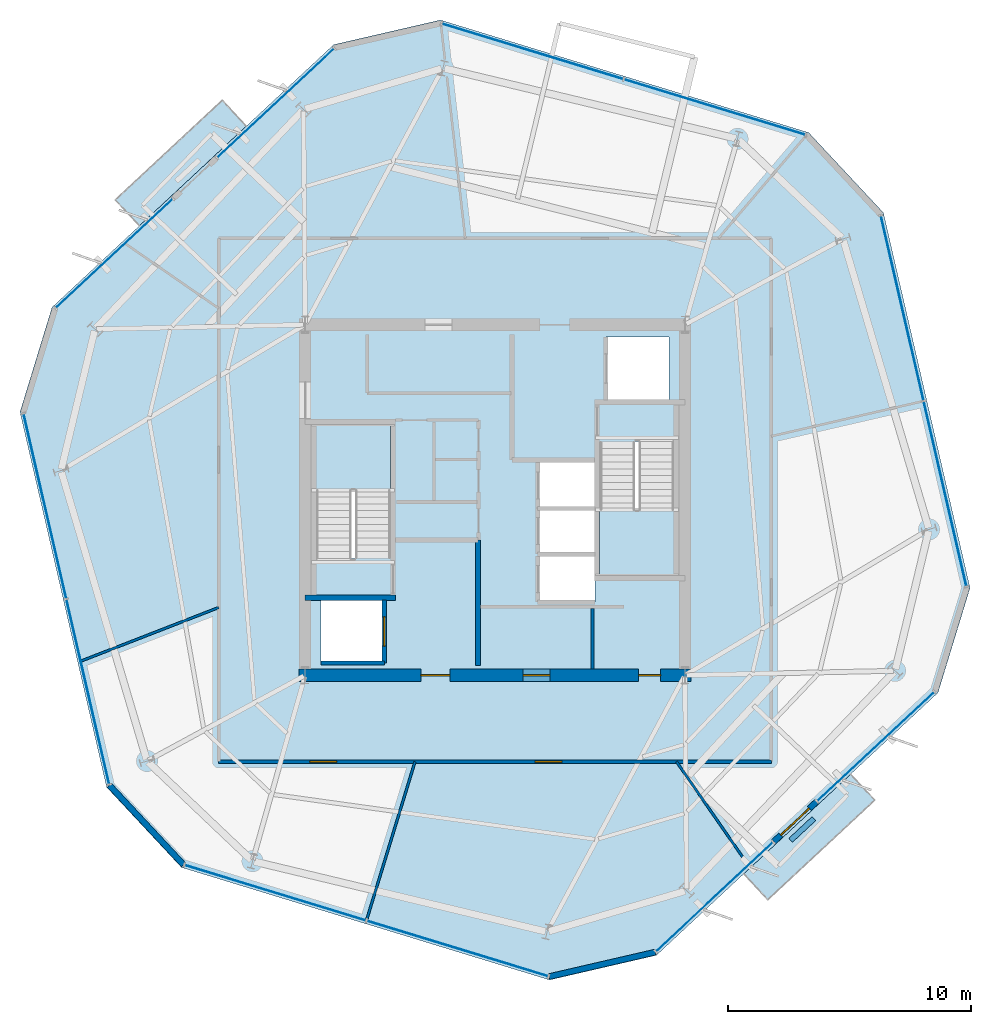
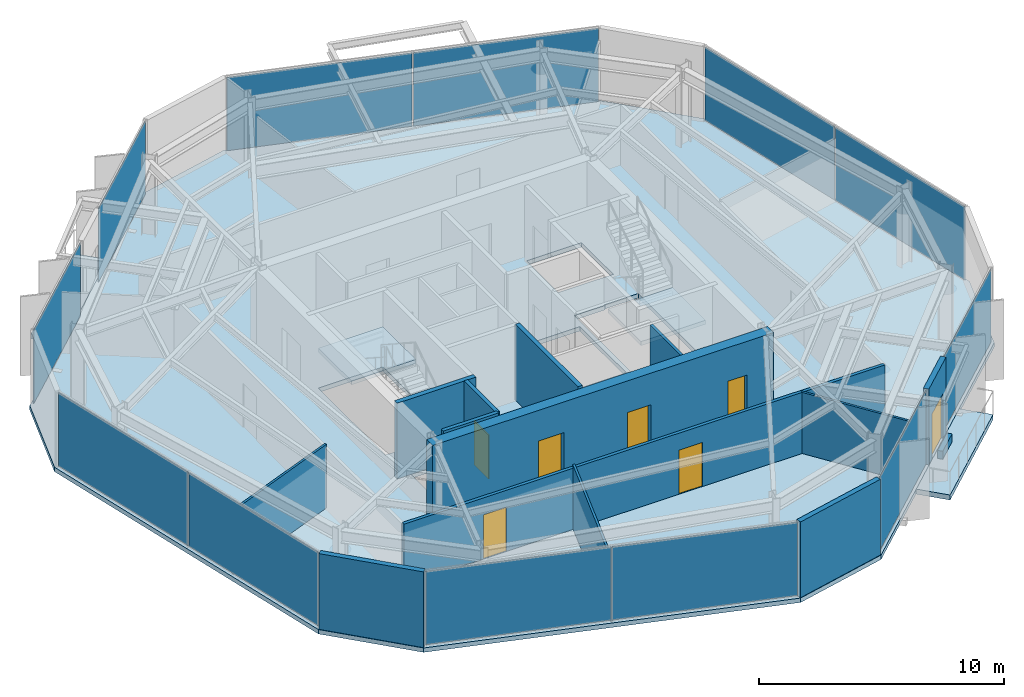
# One storey, part 6 of 11: 14 walls, 12 plates, 7 doors, 5 slabs, 7 openings, 10 elements without a shape of their own.
"""IFC4 building model written with IfcOpenShell, lengths in metres."""

from ifc_helpers import new_model, si_unit, direction, frame, frame_2d, origin, origin_2d, place, context, subcontext, project, spatial, polyline, rectangle, outline, extrude, material, layer, layer_set, type_object, element, fill, aggregate, save


model = new_model("IFC4")

# Units and contexts
model_context = context("Model", 3, precision=1e-05, world=origin(), true_north=direction((0.0, 1.0)))
body_context = subcontext(model_context, "Body", "Model", "MODEL_VIEW")
ifc_project = project(units=[si_unit("LENGTHUNIT", "METRE"), si_unit("AREAUNIT", "SQUARE_METRE"), si_unit("VOLUMEUNIT", "CUBIC_METRE"), si_unit("PLANEANGLEUNIT", "RADIAN"), si_unit("MASSUNIT", "GRAM", prefix="KILO")], contexts=[model_context])

# Site, building, storey
site_placement = place(None, origin())
site = spatial("IfcSite", under=ifc_project, at=site_placement, CompositionType="ELEMENT")
building_placement = place(site_placement, origin())
building = spatial("IfcBuilding", under=site, at=building_placement, Name="Kranzbogen Civic Tower", CompositionType="ELEMENT")
storey_placement = place(building_placement, frame((0.0, 0.0, 196.800048828125)))
storey = spatial("IfcBuildingStorey", under=building, at=storey_placement, Name="L47", CompositionType="ELEMENT", Elevation=196.800048828125)

# Slab
ifc_material_1 = material(Name="Concrete C40/50", Category="concrete")
ifc_layer_1 = layer(ifc_material_1, 0.219970703125, Name="Concrete C40/50")
ifc_layer_set_1 = layer_set([ifc_layer_1], Name="Concrete C40/50")
slab_type_1 = type_object("IfcSlabType", Name="Composite Upper Tower Floor Slab 220 mm", PredefinedType="FLOOR", material=ifc_layer_set_1)
slab_1_placement = place(storey_placement, frame((0.0, 0.0, -0.219970703125)))
element("IfcSlab", 1, at=slab_1_placement, inside=storey, type_object=slab_type_1, Name="L47 tower floor slab", PredefinedType="FLOOR", context=body_context, shape_type="SweptSolid", body=[
    extrude(outline(polyline([(37.885009765625, 40.092041015625), (22.757080078125, 44.717041015625), (18.3720703125, 43.705078125), (6.802978515625, 32.916015625), (5.487060546875, 28.613037109375), (9.0458984375, 13.198974609375), (12.114990234375, 9.907958984375), (27.242919921875, 5.282958984375), (31.6279296875, 6.294921875), (43.197021484375, 17.083984375), (44.512939453125, 21.386962890625), (40.9541015625, 36.801025390625), (37.885009765625, 40.092041015625)]), holes=[polyline([(17.85009765625, 20.89990234375), (20.449951171875, 20.89990234375), (20.449951171875, 18.300048828125), (17.85009765625, 18.300048828125), (17.85009765625, 20.89990234375)]), polyline([(29.10009765625, 22.699951171875), (29.10009765625, 20.800048828125), (26.75, 20.800048828125), (26.75, 22.699951171875), (29.10009765625, 22.699951171875)]), polyline([(29.10009765625, 24.64990234375), (29.10009765625, 22.77490234375), (26.75, 22.77490234375), (26.75, 24.64990234375), (26.75, 24.675048828125), (26.75, 26.550048828125), (29.10009765625, 26.550048828125), (29.10009765625, 24.675048828125), (29.10009765625, 24.64990234375)]), polyline([(29.300048828125, 27.340087890625), (30.75, 27.340087890625), (30.75, 27.39990234375), (32.35009765625, 27.39990234375), (32.35009765625, 21.89990234375), (29.300048828125, 21.89990234375), (29.300048828125, 27.340087890625)]), polyline([(20.699951171875, 22.659912109375), (19.25, 22.659912109375), (19.25, 22.60009765625), (17.64990234375, 22.60009765625), (17.64990234375, 28.10009765625), (20.699951171875, 28.10009765625), (20.699951171875, 22.659912109375)]), polyline([(32.14990234375, 31.699951171875), (32.14990234375, 29.10009765625), (29.550048828125, 29.10009765625), (29.550048828125, 31.699951171875), (32.14990234375, 31.699951171875)])]), origin(), (0.0, 0.0, 1.0), 0.219970703125),
])

# Curtain wall, plates
ifc_material_2 = material(Name="Pale Anodised Aluminium", Category="aluminium")
ifc_layer_2 = layer(ifc_material_2, 0.219970703125, Name="Pale Anodised Aluminium")
ifc_layer_set_2 = layer_set([ifc_layer_2], Name="Pale Anodised Aluminium")
curtain_wall_type = type_object("IfcCurtainWallType", Name="Zone 3 Stick Curtain Wall System CW-04", PredefinedType="USERDEFINED", material=ifc_layer_set_2)
curtain_wall_1_placement = place(storey_placement, origin())
curtain_wall_1 = element("IfcCurtainWall", 2, at=curtain_wall_1_placement, inside=storey, type_object=curtain_wall_type, Name="L47 curtain wall CW-L47-F1", ObjectType="STICK CURTAIN WALL", PredefinedType="USERDEFINED")
ifc_material_3 = material(Name="Low-E Triple Glazing Glass", Category="glass")
ifc_layer_3 = layer(ifc_material_3, 0.030029296875, Name="Low-E Triple Glazing Glass")
ifc_layer_set_3 = layer_set([ifc_layer_3], Name="Low-E Triple Glazing Glass")
plate_type = type_object("IfcPlateType", Name="Insulated Low-E Glazing Panel 30 mm", PredefinedType="CURTAIN_PANEL", material=ifc_layer_set_3)
plate_1_placement = place(storey_placement, frame((34.0244140625, 41.138427734375, 0.06005859375), z_axis=(0.0, 0.0, 1.0), x_axis=(-0.956311529973, 0.292349547017, 0.0)))
plate_1 = element("IfcPlate", 3, at=plate_1_placement, type_object=plate_type, Name="CW-04 panel 1.1", PredefinedType="CURTAIN_PANEL", context=body_context, shape_type="SweptSolid", body=[
    extrude(rectangle(XDim=7.763671875, YDim=0.028076171875, at=origin_2d()), origin(), (0.0, 0.0, 1.0), 3.659912109375),
])
plate_2_placement = place(storey_placement, frame((26.54248046875, 43.425537109375, 0.06005859375), z_axis=(0.0, 0.0, 1.0), x_axis=(-0.956311529973, 0.292349547017, 0.0)))
plate_2 = element("IfcPlate", 4, at=plate_2_placement, type_object=plate_type, Name="CW-04 panel 2.1", PredefinedType="CURTAIN_PANEL", context=body_context, shape_type="SweptSolid", body=[
    extrude(rectangle(XDim=7.763671875, YDim=0.028076171875, at=origin_2d()), origin(), (0.0, 0.0, 1.0), 3.659912109375),
])
aggregate(curtain_wall_1, [plate_1, plate_2])

# Curtain wall, plate
curtain_wall_2_placement = place(storey_placement, origin())
curtain_wall_2 = element("IfcCurtainWall", 5, at=curtain_wall_2_placement, inside=storey, type_object=curtain_wall_type, Name="L47 curtain wall CW-L47-F2-S1", ObjectType="STICK CURTAIN WALL", PredefinedType="USERDEFINED")
plate_3_placement = place(storey_placement, frame((15.986083984375, 41.303955078125, 0.06005859375), z_axis=(0.0, 0.0, 1.0), x_axis=(-0.731325095632, -0.682029034939, 0.0)))
plate_3 = element("IfcPlate", 6, at=plate_3_placement, type_object=plate_type, Name="CW-04 panel 1.1", PredefinedType="CURTAIN_PANEL", context=body_context, shape_type="SweptSolid", body=[
    extrude(rectangle(XDim=6.53369140625, YDim=0.028076171875, at=origin_2d()), origin(), (0.0, 0.0, 1.0), 3.659912109375),
])
aggregate(curtain_wall_2, [plate_3])

curtain_wall_3_placement = place(storey_placement, origin())
curtain_wall_3 = element("IfcCurtainWall", 7, at=curtain_wall_3_placement, inside=storey, type_object=curtain_wall_type, Name="L47 curtain wall CW-L47-F2-S2", ObjectType="STICK CURTAIN WALL", PredefinedType="USERDEFINED")
plate_4_placement = place(storey_placement, frame((9.364501953125, 35.12939453125, 0.06005859375), z_axis=(0.0, 0.0, 1.0), x_axis=(-0.731320043642, -0.682034452039, 0.0)))
plate_4 = element("IfcPlate", 8, at=plate_4_placement, type_object=plate_type, Name="CW-04 panel 1.1", PredefinedType="CURTAIN_PANEL", context=body_context, shape_type="SweptSolid", body=[
    extrude(rectangle(XDim=6.53515625, YDim=0.028076171875, at=origin_2d()), origin(), (0.0, 0.0, 1.0), 3.659912109375),
])
aggregate(curtain_wall_3, [plate_4])

# Curtain wall, plates
curtain_wall_4_placement = place(storey_placement, origin())
curtain_wall_4 = element("IfcCurtainWall", 9, at=curtain_wall_4_placement, inside=storey, type_object=curtain_wall_type, Name="L47 curtain wall CW-L47-F3", ObjectType="STICK CURTAIN WALL", PredefinedType="USERDEFINED")
plate_5_placement = place(storey_placement, frame((6.511962890625, 24.746826171875, 0.06005859375), z_axis=(0.0, 0.0, 1.0), x_axis=(0.224971087375, -0.974365439579, 0.0)))
plate_5 = element("IfcPlate", 10, at=plate_5_placement, type_object=plate_type, Name="CW-04 panel 1.1", PredefinedType="CURTAIN_PANEL", context=body_context, shape_type="SweptSolid", body=[
    extrude(rectangle(XDim=7.764404296875, YDim=0.028076171875, at=origin_2d()), origin(), (0.0, 0.0, 1.0), 3.659912109375),
])
plate_6_placement = place(storey_placement, frame((8.272216796875, 17.123046875, 0.06005859375), z_axis=(0.0, 0.0, 1.0), x_axis=(0.224971087375, -0.974365439579, 0.0)))
plate_6 = element("IfcPlate", 11, at=plate_6_placement, type_object=plate_type, Name="CW-04 panel 2.1", PredefinedType="CURTAIN_PANEL", context=body_context, shape_type="SweptSolid", body=[
    extrude(rectangle(XDim=7.764404296875, YDim=0.028076171875, at=origin_2d()), origin(), (0.0, 0.0, 1.0), 3.659912109375),
])
aggregate(curtain_wall_4, [plate_5, plate_6])

curtain_wall_5_placement = place(storey_placement, origin())
curtain_wall_5 = element("IfcCurtainWall", 12, at=curtain_wall_5_placement, inside=storey, type_object=curtain_wall_type, Name="L47 curtain wall CW-L47-F4", ObjectType="STICK CURTAIN WALL", PredefinedType="USERDEFINED")
plate_7_placement = place(storey_placement, frame((15.9755859375, 8.861572265625, 0.06005859375), z_axis=(0.0, 0.0, 1.0), x_axis=(0.956311529973, -0.292349547017, 0.0)))
plate_7 = element("IfcPlate", 13, at=plate_7_placement, type_object=plate_type, Name="CW-04 panel 1.1", PredefinedType="CURTAIN_PANEL", context=body_context, shape_type="SweptSolid", body=[
    extrude(rectangle(XDim=7.763671875, YDim=0.028076171875, at=origin_2d()), origin(), (0.0, 0.0, 1.0), 3.659912109375),
])
plate_8_placement = place(storey_placement, frame((23.45751953125, 6.574462890625, 0.06005859375), z_axis=(0.0, 0.0, 1.0), x_axis=(0.956311529973, -0.292349547017, 0.0)))
plate_8 = element("IfcPlate", 14, at=plate_8_placement, type_object=plate_type, Name="CW-04 panel 2.1", PredefinedType="CURTAIN_PANEL", context=body_context, shape_type="SweptSolid", body=[
    extrude(rectangle(XDim=7.763671875, YDim=0.028076171875, at=origin_2d()), origin(), (0.0, 0.0, 1.0), 3.659912109375),
])
aggregate(curtain_wall_5, [plate_7, plate_8])

# Curtain wall, plate
curtain_wall_6_placement = place(storey_placement, origin())
curtain_wall_6 = element("IfcCurtainWall", 15, at=curtain_wall_6_placement, inside=storey, type_object=curtain_wall_type, Name="L47 curtain wall CW-L47-F5-S1", ObjectType="STICK CURTAIN WALL", PredefinedType="USERDEFINED")
plate_9_placement = place(storey_placement, frame((34.013916015625, 8.696044921875, 0.06005859375), z_axis=(0.0, 0.0, 1.0), x_axis=(0.731325095632, 0.682029034939, 0.0)))
plate_9 = element("IfcPlate", 16, at=plate_9_placement, type_object=plate_type, Name="CW-04 panel 1.1", PredefinedType="CURTAIN_PANEL", context=body_context, shape_type="SweptSolid", body=[
    extrude(rectangle(XDim=6.53369140625, YDim=0.028076171875, at=origin_2d()), origin(), (0.0, 0.0, 1.0), 3.659912109375),
])
aggregate(curtain_wall_6, [plate_9])

curtain_wall_7_placement = place(storey_placement, origin())
curtain_wall_7 = element("IfcCurtainWall", 17, at=curtain_wall_7_placement, inside=storey, type_object=curtain_wall_type, Name="L47 curtain wall CW-L47-F5-S2", ObjectType="STICK CURTAIN WALL", PredefinedType="USERDEFINED")
plate_10_placement = place(storey_placement, frame((40.635498046875, 14.87060546875, 0.06005859375), z_axis=(0.0, 0.0, 1.0), x_axis=(0.731320043642, 0.682034452039, 0.0)))
plate_10 = element("IfcPlate", 18, at=plate_10_placement, type_object=plate_type, Name="CW-04 panel 1.1", PredefinedType="CURTAIN_PANEL", context=body_context, shape_type="SweptSolid", body=[
    extrude(rectangle(XDim=6.53515625, YDim=0.028076171875, at=origin_2d()), origin(), (0.0, 0.0, 1.0), 3.659912109375),
])
aggregate(curtain_wall_7, [plate_10])

# Curtain wall, plates
curtain_wall_8_placement = place(storey_placement, origin())
curtain_wall_8 = element("IfcCurtainWall", 19, at=curtain_wall_8_placement, inside=storey, type_object=curtain_wall_type, Name="L47 curtain wall CW-L47-F6", ObjectType="STICK CURTAIN WALL", PredefinedType="USERDEFINED")
plate_11_placement = place(storey_placement, frame((43.488037109375, 25.253173828125, 0.06005859375), z_axis=(0.0, 0.0, 1.0), x_axis=(-0.224971087375, 0.974365439579, 0.0)))
plate_11 = element("IfcPlate", 20, at=plate_11_placement, type_object=plate_type, Name="CW-04 panel 1.1", PredefinedType="CURTAIN_PANEL", context=body_context, shape_type="SweptSolid", body=[
    extrude(rectangle(XDim=7.764404296875, YDim=0.028076171875, at=origin_2d()), origin(), (0.0, 0.0, 1.0), 3.659912109375),
])
plate_12_placement = place(storey_placement, frame((41.727783203125, 32.876953125, 0.06005859375), z_axis=(0.0, 0.0, 1.0), x_axis=(-0.224971087375, 0.974365439579, 0.0)))
plate_12 = element("IfcPlate", 21, at=plate_12_placement, type_object=plate_type, Name="CW-04 panel 2.1", PredefinedType="CURTAIN_PANEL", context=body_context, shape_type="SweptSolid", body=[
    extrude(rectangle(XDim=7.764404296875, YDim=0.028076171875, at=origin_2d()), origin(), (0.0, 0.0, 1.0), 3.659912109375),
])
aggregate(curtain_wall_8, [plate_11, plate_12])

# Stair, slab
ifc_material_4 = material(Name="Precast concrete C40/50", Category="concrete")
stair_type_1 = type_object("IfcStairType", Name="Tower Core Pressurized Dogleg Stair 1450", PredefinedType="HALF_TURN_STAIR", material=ifc_material_4)
stair_1_placement = place(storey_placement, origin())
stair_1 = element("IfcStair", 22, at=stair_1_placement, inside=storey, type_object=stair_type_1, Name="L47 Tower Core Pressurized Stair 1", PredefinedType="HALF_TURN_STAIR")
ifc_layer_4 = layer(ifc_material_4, 0.199951171875, Name="Precast concrete C40/50")
ifc_layer_set_4 = layer_set([ifc_layer_4], Name="Precast concrete C40/50")
slab_type_2 = type_object("IfcSlabType", Name="Precast Concrete Stair Landing Slab 200 mm", PredefinedType="LANDING", material=ifc_layer_set_4)
slab_2_placement = place(storey_placement, frame((0.0, 0.0, 1.800048828125)))
slab_2 = element("IfcSlab", 23, at=slab_2_placement, type_object=slab_type_2, Name="ST-T1 landing 1", PredefinedType="LANDING", context=body_context, shape_type="SweptSolid", body=[
    extrude(outline(polyline([(20.699951171875, 25.39990234375), (20.699951171875, 28.10009765625), (17.64990234375, 28.10009765625), (17.64990234375, 25.39990234375), (20.699951171875, 25.39990234375)])), origin(), (0.0, 0.0, 1.0), 0.199951171875),
])
aggregate(stair_1, [slab_2])

stair_type_2 = type_object("IfcStairType", Name="Tower Core Secondary Dogleg Stair 1450", PredefinedType="HALF_TURN_STAIR", material=ifc_material_4)
stair_2_placement = place(storey_placement, origin())
stair_2 = element("IfcStair", 24, at=stair_2_placement, inside=storey, type_object=stair_type_2, Name="L47 Tower Core Pressurized Stair 2", PredefinedType="HALF_TURN_STAIR")
slab_3_placement = place(storey_placement, frame((0.0, 0.0, 1.800048828125)))
slab_3 = element("IfcSlab", 25, at=slab_3_placement, type_object=slab_type_2, Name="ST-T2 landing 1", PredefinedType="LANDING", context=body_context, shape_type="SweptSolid", body=[
    extrude(outline(polyline([(29.300048828125, 24.60009765625), (29.300048828125, 21.89990234375), (32.35009765625, 21.89990234375), (32.35009765625, 24.60009765625), (29.300048828125, 24.60009765625)])), origin(), (0.0, 0.0, 1.0), 0.199951171875),
])
aggregate(stair_2, [slab_3])

# Slabs
ifc_layer_5 = layer(ifc_material_1, 0.25, Name="Concrete C40/50")
ifc_layer_set_5 = layer_set([ifc_layer_5], Name="Concrete C40/50")
slab_type_3 = type_object("IfcSlabType", Name="Tree Balcony Cantilevered Slab 250 mm", PredefinedType="FLOOR", material=ifc_layer_set_5)
slab_4_placement = place(storey_placement, frame((0.0, 0.0, -0.25)))
element("IfcSlab", 26, at=slab_4_placement, inside=storey, type_object=slab_type_3, Name="L47 cantilevered tree balcony L47-TB1", PredefinedType="FLOOR", context=body_context, shape_type="SweptSolid", body=[
    extrude(outline(polyline([(14.781982421875, 40.35693359375), (10.39404296875, 36.264892578125), (9.405029296875, 37.324951171875), (13.79296875, 41.4169921875), (14.781982421875, 40.35693359375)])), origin(), (0.0, 0.0, 1.0), 0.25),
])
slab_5_placement = place(storey_placement, frame((0.0, 0.0, -0.25)))
element("IfcSlab", 27, at=slab_5_placement, inside=storey, type_object=slab_type_3, Name="L47 cantilevered tree balcony L47-TB2", PredefinedType="FLOOR", context=body_context, shape_type="SweptSolid", body=[
    extrude(outline(polyline([(35.218017578125, 9.64306640625), (39.60595703125, 13.735107421875), (40.594970703125, 12.675048828125), (36.20703125, 8.5830078125), (35.218017578125, 9.64306640625)])), origin(), (0.0, 0.0, 1.0), 0.25),
])

# Wall, openings, doors
ifc_material_5 = material(Name="Double-Stud Acoustic Gypsum Partition")
ifc_layer_6 = layer(ifc_material_5, 0.14990234375, Name="Double-Stud Acoustic Gypsum Partition")
ifc_layer_set_6 = layer_set([ifc_layer_6], Name="Double-Stud Acoustic Gypsum Partition")
wall_type_1 = type_object("IfcWallType", Name="Acoustic Corridor and Clinical Partition 150 mm", PredefinedType="PARTITIONING", material=ifc_layer_set_6)
wall_1_placement = place(storey_placement, frame((36.35009765625, 14.25, 0.0), z_axis=(0.0, 0.0, 1.0), x_axis=(-1.0, 0.0, 0.0)))
wall_1 = element("IfcWall", 28, at=wall_1_placement, inside=storey, type_object=wall_type_1, Name="L47 corridor partition 03", PredefinedType="PARTITIONING", context=body_context, shape_type="SweptSolid", body=[
    extrude(rectangle(XDim=22.7001953125, YDim=0.14990234375, at=frame_2d((11.35009765625, 0.0))), origin(), (0.0, 0.0, 1.0), 3.050048828125),
])
opening_1_placement = place(wall_1_placement, frame((17.85693359375, 0.0, 0.0)))
opening_1 = element("IfcOpeningElement", 29, at=opening_1_placement, cuts=wall_1, Name="Opening D-COR60", PredefinedType="OPENING", context=body_context, shape_type="SweptSolid", body=[
    extrude(rectangle(XDim=1.10009765625, YDim=2.199951171875, at=frame_2d((0.550048828125, 1.10009765625))), frame((0.0, 0.0849609375, 0.0), z_axis=(0.0, -1.0, 0.0), x_axis=(1.0, 0.0, 0.0)), (0.0, 0.0, 1.0), 0.169921875),
])
opening_2_placement = place(wall_1_placement, frame((8.60791015625, 0.0, 0.0)))
opening_2 = element("IfcOpeningElement", 30, at=opening_2_placement, cuts=wall_1, Name="Opening D-COR60", PredefinedType="OPENING", context=body_context, shape_type="SweptSolid", body=[
    extrude(rectangle(XDim=1.10009765625, YDim=2.199951171875, at=frame_2d((0.550048828125, 1.10009765625))), frame((0.0, 0.0849609375, 0.0), z_axis=(0.0, -1.0, 0.0), x_axis=(1.0, 0.0, 0.0)), (0.0, 0.0, 1.0), 0.169921875),
])
ifc_material_6 = material(Name="Oak Timber and Fire Core", Category="wood")
door_type_1 = type_object("IfcDoorType", Name="Corridor Acoustic Fire Door 1100x2200", OperationType="NOTDEFINED", PredefinedType="DOOR", material=ifc_material_6)
door_1_placement = place(opening_1_placement, origin())
door_1 = element("IfcDoor", 31, at=door_1_placement, inside=storey, type_object=door_type_1, Name="L47 Urban Design Workshop door", OperationType="SINGLE_SWING_RIGHT", OverallHeight=2.199951171875, OverallWidth=1.10009765625, PredefinedType="DOOR", context=body_context, shape_type="SweptSolid", body=[
    extrude(rectangle(XDim=1.10009765625, YDim=2.199951171875, at=frame_2d((0.550048828125, 1.10009765625))), frame((0.0, 0.02490234375, 0.0), z_axis=(0.0, -1.0, 0.0), x_axis=(1.0, 0.0, 0.0)), (0.0, 0.0, 1.0), 0.050048828125),
])
fill(opening_1, door_1)
door_2_placement = place(opening_2_placement, origin())
door_2 = element("IfcDoor", 32, at=door_2_placement, inside=storey, type_object=door_type_1, Name="L47 Cultural Screening Clubroom door", OperationType="SINGLE_SWING_LEFT", OverallHeight=2.199951171875, OverallWidth=1.10009765625, PredefinedType="DOOR", context=body_context, shape_type="SweptSolid", body=[
    extrude(rectangle(XDim=1.10009765625, YDim=2.199951171875, at=frame_2d((0.550048828125, 1.10009765625))), frame((0.0, 0.02490234375, 0.0), z_axis=(0.0, -1.0, 0.0), x_axis=(1.0, 0.0, 0.0)), (0.0, 0.0, 1.0), 0.050048828125),
])
fill(opening_2, door_2)

# Walls
ifc_material_7 = material(Name="Insulated Metal-Stud Gypsum Partition")
ifc_layer_7 = layer(ifc_material_7, 0.125, Name="Insulated Metal-Stud Gypsum Partition")
ifc_layer_set_7 = layer_set([ifc_layer_7], Name="Insulated Metal-Stud Gypsum Partition")
wall_type_2 = type_object("IfcWallType", Name="Acoustic Inter-Room Partition 125 mm", PredefinedType="PARTITIONING", material=ifc_layer_set_7)
wall_2_placement = place(storey_placement, frame((29.010009765625, 18.050048828125, 0.0), z_axis=(0.0, 0.0, 1.0), x_axis=(0.0, 1.0, 0.0)))
element("IfcWall", 33, at=wall_2_placement, inside=storey, type_object=wall_type_2, Name="L47 core auxiliary partition 1", PredefinedType="PARTITIONING", context=body_context, shape_type="SweptSolid", body=[
    extrude(rectangle(XDim=2.5, YDim=0.125, at=frame_2d((1.25, 0.0))), origin(), (0.0, 0.0, 1.0), 3.780029296875),
])
ifc_material_8 = material(Name="Architectural Precast Terracotta Concrete C40/50", Category="masonry")
ifc_layer_8 = layer(ifc_material_8, 0.219970703125, Name="Architectural Precast Terracotta Concrete C40/50")
ifc_layer_set_8 = layer_set([ifc_layer_8], Name="Architectural Precast Terracotta Concrete C40/50")
wall_type_3 = type_object("IfcWallType", Name="Architectural Tree Planter Kerb Wall 220 mm", PredefinedType="USERDEFINED", material=ifc_layer_set_8)
wall_3_placement = place(storey_placement, frame((37.14501953125, 11.02294921875, 0.0), z_axis=(0.0, 0.0, 1.0), x_axis=(0.731298971401, 0.682057046315, 0.0)))
element("IfcWall", 34, at=wall_3_placement, inside=storey, type_object=wall_type_3, Name="L47 landscaped tree balcony planter L47-TB2", ObjectType="PLANTER_WALL", PredefinedType="USERDEFINED", context=body_context, shape_type="SweptSolid", body=[
    extrude(rectangle(XDim=1.299072265625, YDim=0.219970703125, at=frame_2d((0.6494140625, 0.0))), origin(), (0.0, 0.0, 1.0), 0.39990234375),
])

# Wall, openings, doors
ifc_material_9 = material(Name="Concrete C45/55", Category="concrete")
ifc_layer_9 = layer(ifc_material_9, 0.5, Name="Concrete C45/55")
ifc_layer_set_9 = layer_set([ifc_layer_9], Name="Concrete C45/55")
wall_type_4 = type_object("IfcWallType", Name="Central Core Shear Wall 500 mm", PredefinedType="SHEAR", material=ifc_layer_set_9)
wall_4_placement = place(storey_placement, frame((16.949951171875, 17.800048828125, 0.0), z_axis=(0.0, 0.0, 1.0), x_axis=(1.0, 0.0, 0.0)))
wall_4 = element("IfcWall", 35, at=wall_4_placement, inside=storey, type_object=wall_type_4, Name="L47 central core South shear wall", PredefinedType="SHEAR", context=body_context, shape_type="SweptSolid", body=[
    extrude(rectangle(XDim=16.10009765625, YDim=0.5, at=frame_2d((8.050048828125, 0.0))), origin(), (0.0, 0.0, 1.0), 3.780029296875),
])
opening_3_placement = place(wall_4_placement, frame((5.0, 0.0, 0.0)))
opening_3 = element("IfcOpeningElement", 36, at=opening_3_placement, cuts=wall_4, Name="Opening D-EX120", PredefinedType="OPENING", context=body_context, shape_type="SweptSolid", body=[
    extrude(rectangle(XDim=1.199951171875, YDim=2.25, at=frame_2d((0.60009765625, 1.125))), frame((0.0, 0.260009765625, 0.0), z_axis=(0.0, -1.0, 0.0), x_axis=(1.0, 0.0, 0.0)), (0.0, 0.0, 1.0), 0.52001953125),
])
opening_4_placement = place(wall_4_placement, frame((13.949951171875, 0.0, 0.0)))
opening_4 = element("IfcOpeningElement", 37, at=opening_4_placement, cuts=wall_4, Name="Opening D-WC90", PredefinedType="OPENING", context=body_context, shape_type="SweptSolid", body=[
    extrude(rectangle(XDim=0.89990234375, YDim=2.10009765625, at=frame_2d((0.449951171875, 1.050048828125))), frame((0.0, 0.260009765625, 0.0), z_axis=(0.0, -1.0, 0.0), x_axis=(1.0, 0.0, 0.0)), (0.0, 0.0, 1.0), 0.52001953125),
])
opening_5_placement = place(wall_4_placement, frame((9.199951171875, 0.0, 0.0)))
opening_5 = element("IfcOpeningElement", 38, at=opening_5_placement, cuts=wall_4, Name="Opening D-COR60", PredefinedType="OPENING", context=body_context, shape_type="SweptSolid", body=[
    extrude(rectangle(XDim=1.10009765625, YDim=2.199951171875, at=frame_2d((0.550048828125, 1.10009765625))), frame((0.0, 0.260009765625, 0.0), z_axis=(0.0, -1.0, 0.0), x_axis=(1.0, 0.0, 0.0)), (0.0, 0.0, 1.0), 0.52001953125),
])
door_3_placement = place(opening_5_placement, origin())
door_3 = element("IfcDoor", 39, at=door_3_placement, inside=storey, type_object=door_type_1, Name="L47 REC1 archive room door", OperationType="SINGLE_SWING_LEFT", OverallHeight=2.199951171875, OverallWidth=1.10009765625, PredefinedType="DOOR", context=body_context, shape_type="SweptSolid", body=[
    extrude(rectangle(XDim=1.10009765625, YDim=2.199951171875, at=frame_2d((0.550048828125, 1.10009765625))), frame((0.0, 0.02490234375, 0.0), z_axis=(0.0, -1.0, 0.0), x_axis=(1.0, 0.0, 0.0)), (0.0, 0.0, 1.0), 0.050048828125),
])
fill(opening_5, door_3)
ifc_material_10 = material(Name="Steel S355", Category="steel")
door_type_2 = type_object("IfcDoorType", Name="Exit Passageway Fire Door 1200x2250", OperationType="NOTDEFINED", PredefinedType="DOOR", material=ifc_material_10)
door_4_placement = place(opening_3_placement, origin())
door_4 = element("IfcDoor", 40, at=door_4_placement, inside=storey, type_object=door_type_2, Name="L47 West firefighting lobby corridor door", OperationType="SINGLE_SWING_RIGHT", OverallHeight=2.25, OverallWidth=1.199951171875, PredefinedType="DOOR", context=body_context, shape_type="SweptSolid", body=[
    extrude(rectangle(XDim=1.199951171875, YDim=2.25, at=frame_2d((0.60009765625, 1.125))), frame((0.0, 0.02490234375, 0.0), z_axis=(0.0, -1.0, 0.0), x_axis=(1.0, 0.0, 0.0)), (0.0, 0.0, 1.0), 0.050048828125),
])
fill(opening_3, door_4)
ifc_material_11 = material(Name="Moisture-Resistant Laminate")
door_type_3 = type_object("IfcDoorType", Name="Standard Restroom and Store Door 900x2100", OperationType="NOTDEFINED", PredefinedType="DOOR", material=ifc_material_11)
door_5_placement = place(opening_4_placement, origin())
door_5 = element("IfcDoor", 41, at=door_5_placement, inside=storey, type_object=door_type_3, Name="L47 East electrical riser access door", OperationType="SINGLE_SWING_RIGHT", OverallHeight=2.10009765625, OverallWidth=0.89990234375, PredefinedType="DOOR", context=body_context, shape_type="SweptSolid", body=[
    extrude(rectangle(XDim=0.89990234375, YDim=2.10009765625, at=frame_2d((0.449951171875, 1.050048828125))), frame((0.0, 0.02490234375, 0.0), z_axis=(0.0, -1.0, 0.0), x_axis=(1.0, 0.0, 0.0)), (0.0, 0.0, 1.0), 0.050048828125),
])
fill(opening_4, door_5)

# Walls
ifc_layer_10 = layer(ifc_material_9, 0.219970703125, Name="Concrete C45/55")
ifc_layer_set_10 = layer_set([ifc_layer_10], Name="Concrete C45/55")
wall_type_5 = type_object("IfcWallType", Name="Core Internal Stair Structural Wall 220 mm", PredefinedType="SOLIDWALL", material=ifc_layer_set_10)
wall_5_placement = place(storey_placement, frame((17.199951171875, 20.989990234375, 0.0), z_axis=(0.0, 0.0, 1.0), x_axis=(1.0, 0.0, 0.0)))
element("IfcWall", 42, at=wall_5_placement, inside=storey, type_object=wall_type_5, Name="L47 ST-T1 South structural stair wall", PredefinedType="SOLIDWALL", context=body_context, shape_type="SweptSolid", body=[
    extrude(rectangle(XDim=3.719970703125, YDim=0.219970703125, at=frame_2d((1.85986328125, 0.0))), origin(), (0.0, 0.0, 1.0), 3.780029296875),
])
ifc_material_12 = material(Name="Demountable Aluminium and Gypsum Partition", Category="aluminium")
ifc_layer_11 = layer(ifc_material_12, 0.10009765625, Name="Demountable Aluminium and Gypsum Partition")
ifc_layer_set_11 = layer_set([ifc_layer_11], Name="Demountable Aluminium and Gypsum Partition")
wall_type_6 = type_object("IfcWallType", Name="Demountable Office Partition 100 mm", PredefinedType="MOVABLE", material=ifc_layer_set_11)
wall_6_placement = place(storey_placement, frame((13.64990234375, 20.583984375, 0.0), z_axis=(0.0, 0.0, 1.0), x_axis=(-0.931968408731, -0.362539494577, 0.0)))
element("IfcWall", 43, at=wall_6_placement, inside=storey, type_object=wall_type_6, Name="L47 radial room partition 03", PredefinedType="MOVABLE", context=body_context, shape_type="SweptSolid", body=[
    extrude(rectangle(XDim=6.0654296875, YDim=0.10009765625, at=frame_2d((3.03271484375, 0.0))), origin(), (0.0, 0.0, 1.0), 3.179931640625),
])
wall_7_placement = place(storey_placement, frame((21.712890625, 14.25, 0.0), z_axis=(0.0, 0.0, 1.0), x_axis=(-0.292340513473, -0.956314291529, 0.0)))
element("IfcWall", 44, at=wall_7_placement, inside=storey, type_object=wall_type_6, Name="L47 radial room partition 04", PredefinedType="MOVABLE", context=body_context, shape_type="SweptSolid", body=[
    extrude(rectangle(XDim=6.813720703125, YDim=0.10009765625, at=frame_2d((3.40673828125, 0.0))), origin(), (0.0, 0.0, 1.0), 3.179931640625),
])
wall_8_placement = place(storey_placement, frame((32.455078125, 14.25, 0.0), z_axis=(0.0, 0.0, 1.0), x_axis=(0.569886082616, -0.821723708336, 0.0)))
element("IfcWall", 45, at=wall_8_placement, inside=storey, type_object=wall_type_6, Name="L47 radial room partition 05", PredefinedType="MOVABLE", context=body_context, shape_type="SweptSolid", body=[
    extrude(rectangle(XDim=5.162353515625, YDim=0.10009765625, at=frame_2d((2.5810546875, 0.0))), origin(), (0.0, 0.0, 1.0), 3.050048828125),
])
ifc_material_13 = material(Name="Gypsum Fireboard and Concrete Block", Category="concrete")
ifc_layer_12 = layer(ifc_material_13, 0.199951171875, Name="Gypsum Fireboard and Concrete Block")
ifc_layer_set_12 = layer_set([ifc_layer_12], Name="Gypsum Fireboard and Concrete Block")
wall_type_7 = type_object("IfcWallType", Name="Fire-Rated Exit Passageway and Stair Wall 200 mm", PredefinedType="PARTITIONING", material=ifc_layer_set_12)
wall_9_placement = place(storey_placement, frame((24.300048828125, 18.199951171875, 0.0), z_axis=(0.0, 0.0, 1.0), x_axis=(0.0, 1.0, 0.0)))
element("IfcWall", 46, at=wall_9_placement, inside=storey, type_object=wall_type_7, Name="L47 West firefighting lobby East wall", PredefinedType="PARTITIONING", context=body_context, shape_type="SweptSolid", body=[
    extrude(rectangle(XDim=5.150146484375, YDim=0.199951171875, at=frame_2d((2.5751953125, 0.0))), origin(), (0.0, 0.0, 1.0), 3.780029296875),
])

# Wall, opening, door
ifc_material_14 = material(Name="Gypsum Fireboard Shaftliner")
ifc_layer_13 = layer(ifc_material_14, 0.175048828125, Name="Gypsum Fireboard Shaftliner")
ifc_layer_set_13 = layer_set([ifc_layer_13], Name="Gypsum Fireboard Shaftliner")
wall_type_8 = type_object("IfcWallType", Name="Fire-Rated Lift and Service Shaft Wall 175 mm", PredefinedType="PARTITIONING", material=ifc_layer_set_13)
wall_10_placement = place(storey_placement, frame((20.449951171875, 18.300048828125, 0.0), z_axis=(0.0, 0.0, 1.0), x_axis=(0.0, 1.0, 0.0)))
wall_10 = element("IfcWall", 47, at=wall_10_placement, inside=storey, type_object=wall_type_8, Name="L47 lift FF-01 landing wall", PredefinedType="PARTITIONING", context=body_context, shape_type="SweptSolid", body=[
    extrude(rectangle(XDim=2.599853515625, YDim=0.175048828125, at=frame_2d((1.2998046875, 0.0))), origin(), (0.0, 0.0, 1.0), 3.780029296875),
])
opening_6_placement = place(wall_10_placement, frame((0.699951171875, 0.0, 0.0)))
opening_6 = element("IfcOpeningElement", 48, at=opening_6_placement, cuts=wall_10, Name="Opening LD-FF-01", PredefinedType="OPENING", context=body_context, shape_type="SweptSolid", body=[
    extrude(rectangle(XDim=1.199951171875, YDim=2.199951171875, at=frame_2d((0.60009765625, 1.10009765625))), frame((0.0, 0.09765625, 0.0), z_axis=(0.0, -1.0, 0.0), x_axis=(1.0, 0.0, 0.0)), (0.0, 0.0, 1.0), 0.195068359375),
])
door_type_4 = type_object("IfcDoorType", Name="Firefighting and Stretcher Lift Sliding Landing Door 1200x2200", OperationType="DOUBLE_DOOR_SLIDING", PredefinedType="DOOR", material=ifc_material_2)
door_6_placement = place(opening_6_placement, origin())
door_6 = element("IfcDoor", 49, at=door_6_placement, inside=storey, type_object=door_type_4, Name="L47 lift FF-01 sliding landing door", OperationType="DOUBLE_DOOR_SLIDING", OverallHeight=2.199951171875, OverallWidth=1.199951171875, PredefinedType="DOOR", context=body_context, shape_type="SweptSolid", body=[
    extrude(rectangle(XDim=1.199951171875, YDim=2.199951171875, at=frame_2d((0.60009765625, 1.10009765625))), frame((0.0, 0.02490234375, 0.0), z_axis=(0.0, -1.0, 0.0), x_axis=(1.0, 0.0, 0.0)), (0.0, 0.0, 1.0), 0.050048828125),
])
fill(opening_6, door_6)

# Walls
wall_11_placement = place(storey_placement, frame((17.85009765625, 18.300048828125, 0.0), z_axis=(0.0, 0.0, 1.0), x_axis=(1.0, 0.0, 0.0)))
element("IfcWall", 50, at=wall_11_placement, inside=storey, type_object=wall_type_8, Name="L47 lift FF-01 side wall", PredefinedType="PARTITIONING", context=body_context, shape_type="SweptSolid", body=[
    extrude(rectangle(XDim=2.599853515625, YDim=0.175048828125, at=frame_2d((1.2998046875, 0.0))), origin(), (0.0, 0.0, 1.0), 3.780029296875),
])
ifc_layer_14 = layer(ifc_material_2, 0.239990234375, Name="Pale Anodised Aluminium")
ifc_layer_set_14 = layer_set([ifc_layer_14], Name="Pale Anodised Aluminium")
wall_type_9 = type_object("IfcWallType", Name="Insulated Aluminium Facade Portal Wall 240 mm", PredefinedType="STANDARD", material=ifc_layer_set_14)
wall_12_placement = place(storey_placement, frame((9.158935546875, 13.281982421875, 0.0), z_axis=(0.0, 0.0, 1.0), x_axis=(0.681950226265, -0.73139858415, 0.0)))
element("IfcWall", 51, at=wall_12_placement, inside=storey, type_object=wall_type_9, Name="L47 chamfered corner facade spandrel 3", PredefinedType="STANDARD", context=body_context, shape_type="SweptSolid", body=[
    extrude(rectangle(XDim=4.46826171875, YDim=0.239990234375, at=frame_2d((2.234130859375, 0.0))), origin(), (0.0, 0.0, 1.0), 3.780029296875),
])
wall_13_placement = place(storey_placement, frame((27.22705078125, 5.422119140625, 0.0), z_axis=(0.0, 0.0, 1.0), x_axis=(0.974385670371, 0.224883448427, 0.0)))
element("IfcWall", 52, at=wall_13_placement, inside=storey, type_object=wall_type_9, Name="L47 chamfered corner facade spandrel 4", PredefinedType="STANDARD", context=body_context, shape_type="SweptSolid", body=[
    extrude(rectangle(XDim=4.468505859375, YDim=0.239990234375, at=frame_2d((2.234375, 0.0))), origin(), (0.0, 0.0, 1.0), 3.780029296875),
])

# Wall, opening, door
wall_14_placement = place(storey_placement, frame((36.447021484375, 10.965087890625, 0.0), z_axis=(0.0, 0.0, 1.0), x_axis=(0.731451066601, 0.681893933958, 0.0)))
wall_14 = element("IfcWall", 53, at=wall_14_placement, inside=storey, type_object=wall_type_9, Name="L47 exterior entrance portal wall 1", PredefinedType="STANDARD", context=body_context, shape_type="SweptSolid", body=[
    extrude(rectangle(XDim=2.399169921875, YDim=0.239990234375, at=frame_2d((1.19970703125, 0.0))), origin(), (0.0, 0.0, 1.0), 3.780029296875),
])
opening_7_placement = place(wall_14_placement, frame((0.39990234375, 0.0, 0.0)))
opening_7 = element("IfcOpeningElement", 54, at=opening_7_placement, cuts=wall_14, Name="Opening D-TER", PredefinedType="OPENING", context=body_context, shape_type="SweptSolid", body=[
    extrude(rectangle(XDim=1.60009765625, YDim=2.25, at=frame_2d((0.800048828125, 1.125))), frame((0.0, 0.1298828125, 0.0), z_axis=(0.0, -1.0, 0.0), x_axis=(1.0, 0.0, 0.0)), (0.0, 0.0, 1.0), 0.260009765625),
])
ifc_material_15 = material(Name="Anodised Bronze and Triple Glass", Category="glass")
door_type_5 = type_object("IfcDoorType", Name="Glazed Terrace and Balcony Double Door 1600x2250", OperationType="DOUBLE_DOOR_SINGLE_SWING", PredefinedType="DOOR", material=ifc_material_15)
door_7_placement = place(opening_7_placement, frame((1.60009765625, 0.0, 0.0), z_axis=(0.0, 0.0, 1.0), x_axis=(-1.0, 0.0, 0.0)))
door_7 = element("IfcDoor", 55, at=door_7_placement, inside=storey, type_object=door_type_5, Name="L47 tree balcony access door L47-TB2", OperationType="DOUBLE_DOOR_SINGLE_SWING", OverallHeight=2.25, OverallWidth=1.60009765625, PredefinedType="DOOR", context=body_context, shape_type="SweptSolid", body=[
    extrude(rectangle(XDim=1.60009765625, YDim=2.25, at=frame_2d((0.800048828125, 1.125))), frame((0.0, 0.02490234375, 0.0), z_axis=(0.0, -1.0, 0.0), x_axis=(1.0, 0.0, 0.0)), (0.0, 0.0, 1.0), 0.050048828125),
])
fill(opening_7, door_7)

save(model, "model.ifc")
